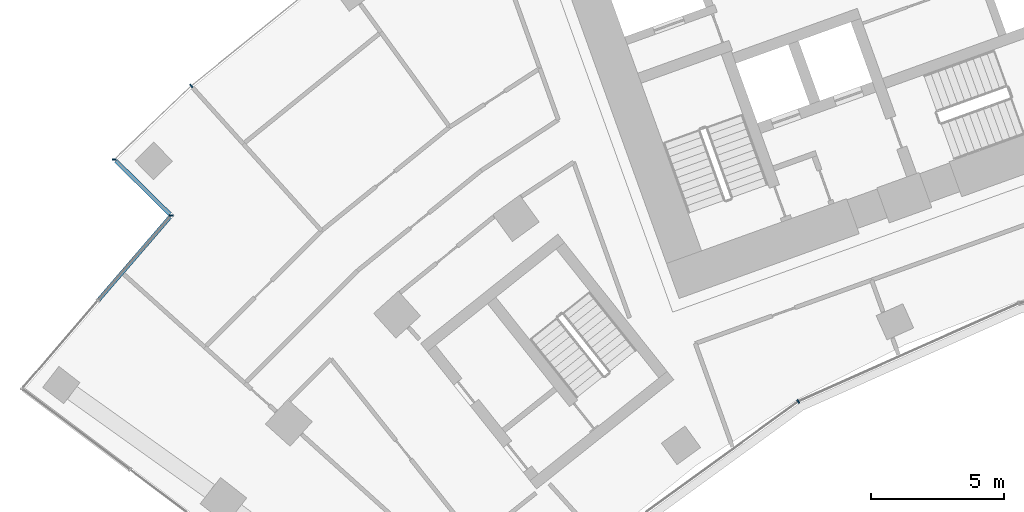
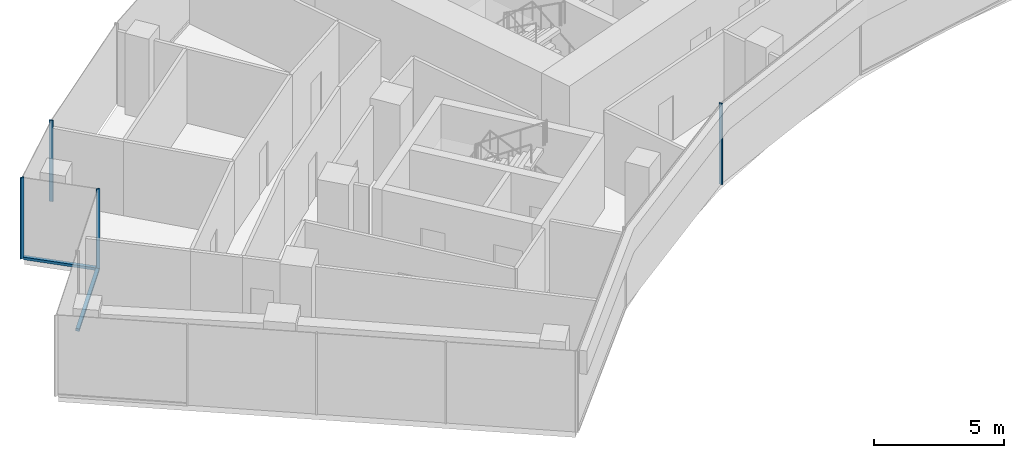
# One storey, part 3 of 20: 6 members, 4 elements without a shape of their own.
"""IFC4 building model written with IfcOpenShell, lengths in metres."""

from ifc_helpers import new_model, si_unit, direction, frame, origin, origin_2d, place, context, subcontext, project, spatial, rectangle, extrude, material, layer, layer_set, material_profile, profile_set, type_object, element, aggregate, save


model = new_model("IFC4")

# Units and contexts
model_context = context("Model", 3, precision=1e-05, world=origin(), true_north=direction((0.0, 1.0)))
body_context = subcontext(model_context, "Body", "Model", "MODEL_VIEW")
ifc_project = project(units=[si_unit("LENGTHUNIT", "METRE"), si_unit("AREAUNIT", "SQUARE_METRE"), si_unit("VOLUMEUNIT", "CUBIC_METRE"), si_unit("PLANEANGLEUNIT", "RADIAN"), si_unit("MASSUNIT", "GRAM", prefix="KILO")], contexts=[model_context])

# Site, building, storey
site_placement = place(None, origin())
site = spatial("IfcSite", under=ifc_project, at=site_placement, CompositionType="ELEMENT")
building_placement = place(site_placement, origin())
building = spatial("IfcBuilding", under=site, at=building_placement, Name="Stone Belt Terrace Tower", CompositionType="ELEMENT")
storey_placement = place(building_placement, frame((0.0, 0.0, 185.800048828125)))
storey = spatial("IfcBuildingStorey", under=building, at=storey_placement, Name="L45", CompositionType="ELEMENT", Elevation=185.800048828125)

# Curtain wall, member
ifc_material = material(Name="Aluminium 6063-T6 anodised frame", Category="aluminium")
ifc_layer_1 = layer(ifc_material, 0.14990234375)
ifc_layer_set_1 = layer_set([ifc_layer_1], Name="CW-A unitised convex-face curtain wall")
curtain_wall_type_1 = type_object("IfcCurtainWallType", Name="CW-A unitised convex-face curtain wall", PredefinedType="NOTDEFINED", material=ifc_layer_set_1)
curtain_wall_1_placement = place(storey_placement, origin())
curtain_wall_1 = element("IfcCurtainWall", 1, at=curtain_wall_1_placement, inside=storey, type_object=curtain_wall_type_1, Name="CW-A convex face L45", PredefinedType="NOTDEFINED")
ifc_material_profile_1 = material_profile(ifc_material, rectangle(XDim=0.14990234375, YDim=0.06005859375, at=origin_2d()), Name="Aluminium 6063-T6 60x150")
ifc_profile_set_1 = profile_set([ifc_material_profile_1], Name="Aluminium 6063-T6 anodised frame")
member_type_1 = type_object("IfcMemberType", Name="CW-A mullion 60 x 150", PredefinedType="MULLION", material=ifc_profile_set_1)
member_1_placement = place(storey_placement, frame((-44.546875, 49.4755859375, 0.0), z_axis=(0.0, 0.0, 1.0), x_axis=(0.660573481499, -0.75076139721, 0.0)))
member_1 = element("IfcMember", 2, at=member_1_placement, type_object=member_type_1, Name="CW-A mullion 15", PredefinedType="MULLION", context=body_context, shape_type="SweptSolid", body=[
    extrude(rectangle(XDim=0.14990234375, YDim=0.06005859375, at=origin_2d()), origin(), (0.0, 0.0, 1.0), 3.800048828125),
])
aggregate(curtain_wall_1, [member_1])

ifc_layer_2 = layer(ifc_material, 0.14990234375)
ifc_layer_set_2 = layer_set([ifc_layer_2], Name="CW-B unitised concave-face curtain wall")
curtain_wall_type_2 = type_object("IfcCurtainWallType", Name="CW-B unitised concave-face curtain wall", PredefinedType="NOTDEFINED", material=ifc_layer_set_2)
curtain_wall_2_placement = place(storey_placement, origin())
curtain_wall_2 = element("IfcCurtainWall", 3, at=curtain_wall_2_placement, inside=storey, type_object=curtain_wall_type_2, Name="CW-B concave face L45", PredefinedType="NOTDEFINED")
ifc_material_profile_2 = material_profile(ifc_material, rectangle(XDim=0.14990234375, YDim=0.050048828125, at=origin_2d()), Name="Aluminium 6063-T6 50x150")
ifc_profile_set_2 = profile_set([ifc_material_profile_2], Name="Aluminium 6063-T6 anodised frame")
member_type_2 = type_object("IfcMemberType", Name="CW-B mullion 50 x 150", PredefinedType="MULLION", material=ifc_profile_set_2)
member_2_placement = place(storey_placement, frame((-21.71240234375, 37.606689453125, 0.0), z_axis=(0.0, 0.0, 1.0), x_axis=(-0.5, 0.866025403784, 0.0)))
member_2 = element("IfcMember", 4, at=member_2_placement, type_object=member_type_2, Name="CW-B mullion 3", PredefinedType="MULLION", context=body_context, shape_type="SweptSolid", body=[
    extrude(rectangle(XDim=0.14990234375, YDim=0.050048828125, at=origin_2d()), origin(), (0.0, 0.0, 1.0), 3.800048828125),
])
aggregate(curtain_wall_2, [member_2])

ifc_layer_3 = layer(ifc_material, 0.14990234375)
ifc_layer_set_3 = layer_set([ifc_layer_3], Name="CW-C stick curtain wall, horn ends and notches")
curtain_wall_type_3 = type_object("IfcCurtainWallType", Name="CW-C stick curtain wall, horn ends and notches", PredefinedType="NOTDEFINED", material=ifc_layer_set_3)
curtain_wall_3_placement = place(storey_placement, origin())
curtain_wall_3 = element("IfcCurtainWall", 5, at=curtain_wall_3_placement, inside=storey, type_object=curtain_wall_type_3, Name="CW-C notch face L45", PredefinedType="NOTDEFINED")
ifc_material_profile_3 = material_profile(ifc_material, rectangle(XDim=0.14990234375, YDim=0.06005859375, at=origin_2d()), Name="Aluminium 6063-T6 60x150")
ifc_profile_set_3 = profile_set([ifc_material_profile_3], Name="Aluminium 6063-T6 anodised frame")
member_type_3 = type_object("IfcMemberType", Name="CW-C mullion 60 x 150", PredefinedType="MULLION", material=ifc_profile_set_3)
member_3_placement = place(storey_placement, frame((-47.4365234375, 46.715087890625, 0.0), z_axis=(0.0, 0.0, 1.0), x_axis=(0.999966480105, -0.008187714406, 0.0)))
member_3 = element("IfcMember", 6, at=member_3_placement, type_object=member_type_3, Name="CW-C mullion 1", PredefinedType="MULLION", context=body_context, shape_type="SweptSolid", body=[
    extrude(rectangle(XDim=0.14990234375, YDim=0.06005859375, at=origin_2d()), origin(), (0.0, 0.0, 1.0), 3.800048828125),
])

curtain_wall_4_placement = place(storey_placement, origin())
curtain_wall_4 = element("IfcCurtainWall", 7, at=curtain_wall_4_placement, inside=storey, type_object=curtain_wall_type_3, Name="CW-C notch face L45", PredefinedType="NOTDEFINED")
member_4_placement = place(storey_placement, frame((-45.29638671875, 44.602783203125, 0.0), z_axis=(0.0, 0.0, 1.0), x_axis=(0.999185209744, 0.040359839301, 0.0)))
member_4 = element("IfcMember", 8, at=member_4_placement, type_object=member_type_3, Name="CW-C mullion 1", PredefinedType="MULLION", context=body_context, shape_type="SweptSolid", body=[
    extrude(rectangle(XDim=0.14990234375, YDim=0.06005859375, at=origin_2d()), origin(), (0.0, 0.0, 1.0), 3.800048828125),
])

# Member
ifc_material_profile_4 = material_profile(ifc_material, rectangle(XDim=0.14990234375, YDim=0.1201171875, at=origin_2d()), Name="Aluminium 6063-T6 150x120")
ifc_profile_set_4 = profile_set([ifc_material_profile_4], Name="Aluminium 6063-T6 anodised frame")
member_type_4 = type_object("IfcMemberType", Name="CW-C transom 120 x 150", PredefinedType="USERDEFINED", material=ifc_profile_set_4)
member_5_placement = place(storey_placement, frame((-47.383544921875, 46.66259765625, 0.06005859375), z_axis=(0.711744791626, -0.702438147877, 0.0), x_axis=(0.702438147877, 0.711744791626, 0.0)))
member_5 = element("IfcMember", 9, at=member_5_placement, type_object=member_type_4, Name="CW-C transom 1.1", ObjectType="TRANSOM", PredefinedType="USERDEFINED", context=body_context, shape_type="SweptSolid", body=[
    extrude(rectangle(XDim=0.14990234375, YDim=0.1201171875, at=origin_2d()), origin(), (0.0, 0.0, 1.0), 2.859375),
])

aggregate(curtain_wall_3, [member_3, member_5])

member_6_placement = place(storey_placement, frame((-45.343994140625, 44.54736328125, 0.06005859375), z_axis=(-0.652755588772, -0.757568572029, 0.0), x_axis=(0.757568572029, -0.652755588772, 0.0)))
member_6 = element("IfcMember", 10, at=member_6_placement, type_object=member_type_4, Name="CW-C transom 1.1", ObjectType="TRANSOM", PredefinedType="USERDEFINED", context=body_context, shape_type="SweptSolid", body=[
    extrude(rectangle(XDim=0.14990234375, YDim=0.1201171875, at=origin_2d()), origin(), (0.0, 0.0, 1.0), 4.12060546875),
])

aggregate(curtain_wall_4, [member_4, member_6])

save(model, "model.ifc")
